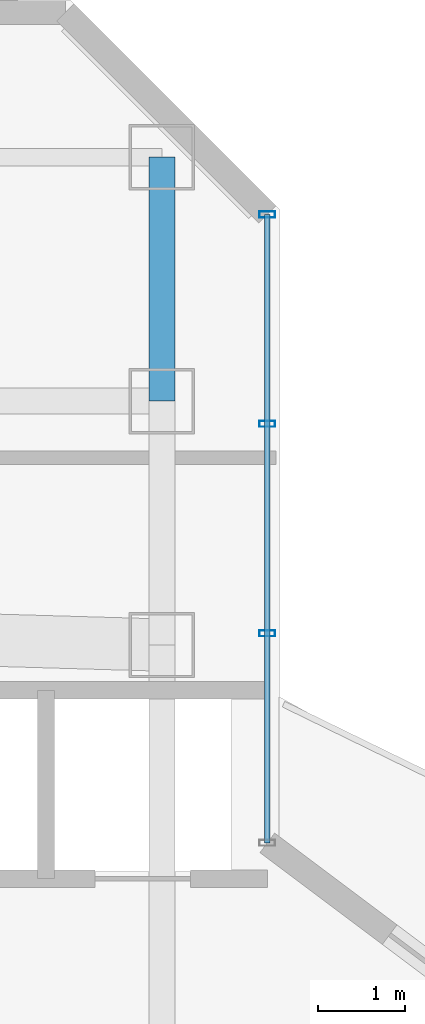
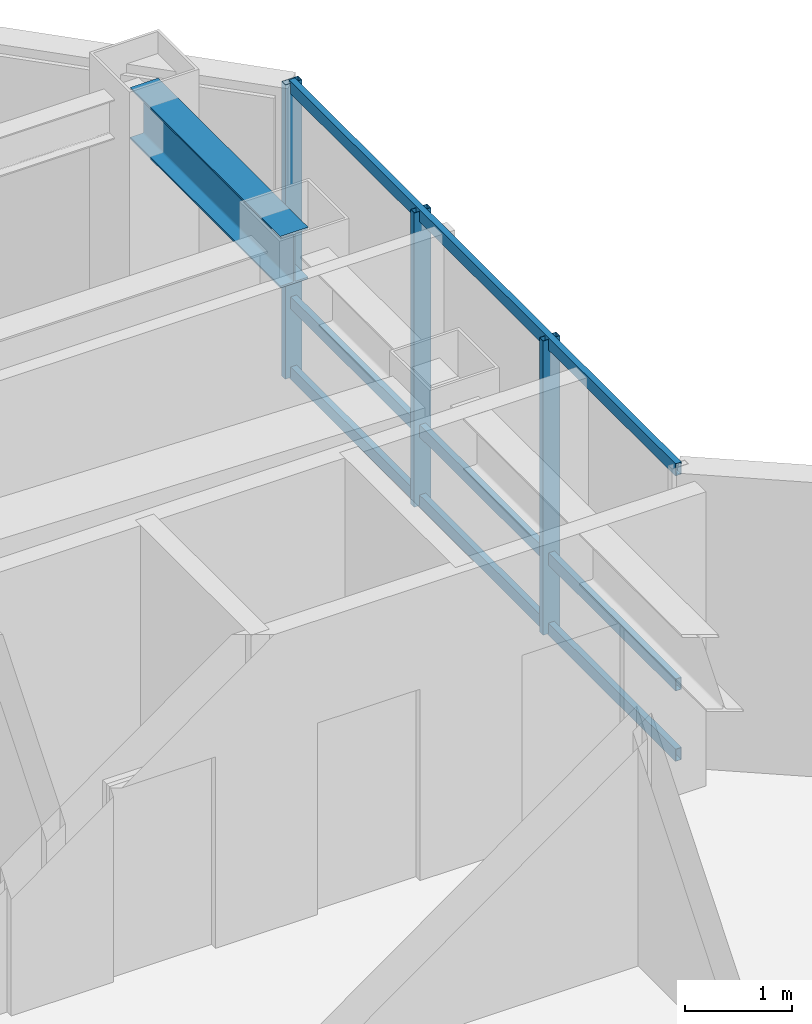
# One storey, part 17 of 26: 6 members, 1 beam, 1 element without a shape of its own.
"""IFC4 building model written with IfcOpenShell, lengths in metres."""

from ifc_helpers import new_model, si_unit, direction, frame, origin, origin_2d, place, context, subcontext, project, spatial, hollow_rectangle, i_section, extrude, material, layer, layer_set, material_profile, profile_set, type_object, element, aggregate, save


model = new_model("IFC4")

# Units and contexts
model_context = context("Model", 3, precision=1e-05, world=origin(), true_north=direction((0.0, 1.0)))
body_context = subcontext(model_context, "Body", "Model", "MODEL_VIEW")
ifc_project = project(units=[si_unit("LENGTHUNIT", "METRE"), si_unit("AREAUNIT", "SQUARE_METRE"), si_unit("VOLUMEUNIT", "CUBIC_METRE"), si_unit("PLANEANGLEUNIT", "RADIAN"), si_unit("MASSUNIT", "GRAM", prefix="KILO")], contexts=[model_context])

# Site, building, storey
site_placement = place(None, origin())
site = spatial("IfcSite", under=ifc_project, at=site_placement, CompositionType="ELEMENT")
building_placement = place(site_placement, origin())
building = spatial("IfcBuilding", under=site, at=building_placement, Name="Hatsunagi Terrace Concourse", CompositionType="ELEMENT")
storey_placement = place(building_placement, frame((0.0, 0.0, 198.75)))
storey = spatial("IfcBuildingStorey", under=building, at=storey_placement, Name="L52", CompositionType="ELEMENT", Elevation=198.75)

# Curtain wall, members
ifc_material_1 = material(Name="Anodised Aluminium Alloy 6063-T5", Category="aluminium")
ifc_layer = layer(ifc_material_1, 0.199951171875)
ifc_layer_set = layer_set([ifc_layer], Name="OfficeZone2_CW04")
curtain_wall_type = type_object("IfcCurtainWallType", Name="OfficeZone2_CW04", PredefinedType="NOTDEFINED", material=ifc_layer_set)
curtain_wall_placement = place(storey_placement, origin())
curtain_wall = element("IfcCurtainWall", 1, at=curtain_wall_placement, inside=storey, type_object=curtain_wall_type, Name="Unitised Curtain Wall CW-04 CW-L52-12", PredefinedType="NOTDEFINED")
ifc_material_2 = material(Name="Anodised Aluminium Alloy 6063-T5", Category="aluminium")
ifc_material_profile_1 = material_profile(ifc_material_2, hollow_rectangle(XDim=0.070068359375, YDim=0.179931640625, WallThickness=0.00390625, at=origin_2d()), Name="ALU-MUL-180x70x4")
ifc_profile_set_1 = profile_set([ifc_material_profile_1], Name="Anodised Aluminium Alloy 6063-T5")
member_type_1 = type_object("IfcMemberType", Name="CurtainWallMullion_180x70", PredefinedType="MULLION", material=ifc_profile_set_1)
member_1_placement = place(storey_placement, frame((44.860107421875, 47.94189453125, 0.0), z_axis=(0.0, 0.0, 1.0), x_axis=(0.0, -1.0, 0.0)))
member_1 = element("IfcMember", 2, at=member_1_placement, type_object=member_type_1, Name="Curtain Wall Mullion MUL-02", PredefinedType="MULLION", context=body_context, shape_type="SweptSolid", body=[
    extrude(hollow_rectangle(XDim=0.070068359375, YDim=0.179931640625, WallThickness=0.00390625, at=origin_2d()), origin(), (0.0, 0.0, 1.0), 3.35009765625),
])
member_2_placement = place(storey_placement, frame((44.860107421875, 45.5380859375, 0.0), z_axis=(0.0, 0.0, 1.0), x_axis=(0.0, -1.0, 0.0)))
member_2 = element("IfcMember", 3, at=member_2_placement, type_object=member_type_1, Name="Curtain Wall Mullion MUL-02", PredefinedType="MULLION", context=body_context, shape_type="SweptSolid", body=[
    extrude(hollow_rectangle(XDim=0.070068359375, YDim=0.179931640625, WallThickness=0.00390625, at=origin_2d()), origin(), (0.0, 0.0, 1.0), 3.35009765625),
])
member_3_placement = place(storey_placement, frame((44.860107421875, 43.134033203125, 0.0), z_axis=(0.0, 0.0, 1.0), x_axis=(0.0, -1.0, 0.0)))
member_3 = element("IfcMember", 4, at=member_3_placement, type_object=member_type_1, Name="Curtain Wall Mullion MUL-02", PredefinedType="MULLION", context=body_context, shape_type="SweptSolid", body=[
    extrude(hollow_rectangle(XDim=0.070068359375, YDim=0.179931640625, WallThickness=0.00390625, at=origin_2d()), origin(), (0.0, 0.0, 1.0), 3.35009765625),
])
ifc_material_3 = material(Name="Anodised Aluminium Alloy 6063-T5", Category="aluminium")
ifc_material_profile_2 = material_profile(ifc_material_3, hollow_rectangle(XDim=0.06494140625, YDim=0.139892578125, WallThickness=0.00390625, at=origin_2d()), Name="ALU-TRN-140x65x4")
ifc_profile_set_2 = profile_set([ifc_material_profile_2], Name="Anodised Aluminium Alloy 6063-T5")
member_type_2 = type_object("IfcMemberType", Name="CurtainWallTransom_140x65", PredefinedType="USERDEFINED", material=ifc_profile_set_2)
member_4_placement = place(storey_placement, frame((44.860107421875, 47.94189453125, 0.050048828125), z_axis=(0.0, -1.0, 0.0), x_axis=(1.0, 0.0, 0.0)))
member_4 = element("IfcMember", 5, at=member_4_placement, type_object=member_type_2, Name="Curtain Wall Transom TRN-02", ObjectType="TRANSOM", PredefinedType="USERDEFINED", context=body_context, shape_type="SweptSolid", body=[
    extrude(hollow_rectangle(XDim=0.06494140625, YDim=0.139892578125, WallThickness=0.00390625, at=origin_2d()), origin(), (0.0, 0.0, 1.0), 7.2119140625),
])
member_5_placement = place(storey_placement, frame((44.860107421875, 47.94189453125, 0.85009765625), z_axis=(0.0, -1.0, 0.0), x_axis=(1.0, 0.0, 0.0)))
member_5 = element("IfcMember", 6, at=member_5_placement, type_object=member_type_2, Name="Curtain Wall Transom TRN-02", ObjectType="TRANSOM", PredefinedType="USERDEFINED", context=body_context, shape_type="SweptSolid", body=[
    extrude(hollow_rectangle(XDim=0.06494140625, YDim=0.139892578125, WallThickness=0.00390625, at=origin_2d()), origin(), (0.0, 0.0, 1.0), 7.2119140625),
])
member_6_placement = place(storey_placement, frame((44.860107421875, 47.94189453125, 3.300048828125), z_axis=(0.0, -1.0, 0.0), x_axis=(1.0, 0.0, 0.0)))
member_6 = element("IfcMember", 7, at=member_6_placement, type_object=member_type_2, Name="Curtain Wall Transom TRN-02", ObjectType="TRANSOM", PredefinedType="USERDEFINED", context=body_context, shape_type="SweptSolid", body=[
    extrude(hollow_rectangle(XDim=0.06494140625, YDim=0.139892578125, WallThickness=0.00390625, at=origin_2d()), origin(), (0.0, 0.0, 1.0), 7.2119140625),
])
aggregate(curtain_wall, [member_1, member_2, member_3, member_4, member_5, member_6])

# Beam
ifc_material_4 = material(Name="Steel SN490B", Category="steel")
ifc_material_profile_3 = material_profile(ifc_material_4, i_section(OverallWidth=0.300048828125, OverallDepth=0.587890625, WebThickness=0.011962890625, FlangeThickness=0.02001953125, FilletRadius=0.01806640625, at=origin_2d()), Name="H-588x300x12x20")
ifc_profile_set_3 = profile_set([ifc_material_profile_3], Name="Steel SN490B")
beam_type = type_object("IfcBeamType", Name="OfficeHighGirder_H_588x300", PredefinedType="BEAM", material=ifc_profile_set_3)
beam_placement = place(storey_placement, frame((43.64990234375, 45.800048828125, 3.055908203125), z_axis=(0.0, 1.0, 0.0), x_axis=(-1.0, 0.0, 0.0)))
element("IfcBeam", 8, at=beam_placement, inside=storey, type_object=beam_type, Name="Beam G-06 BM-L52-KN-WN6", PredefinedType="BEAM", context=body_context, shape_type="SweptSolid", body=[
    extrude(i_section(OverallWidth=0.300048828125, OverallDepth=0.587890625, WebThickness=0.011962890625, FlangeThickness=0.02001953125, FilletRadius=0.01806640625, at=origin_2d()), origin(), (0.0, 0.0, 1.0), 2.800048828125),
])

save(model, "model.ifc")
